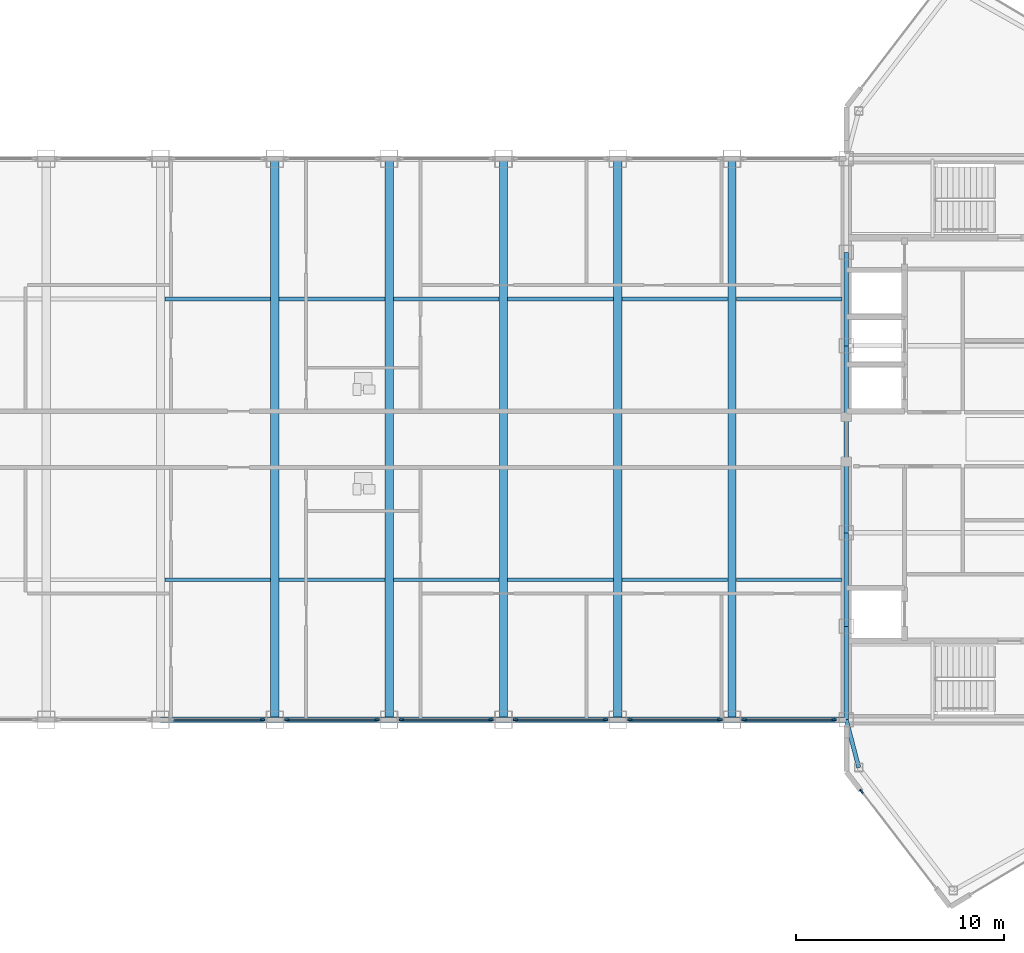
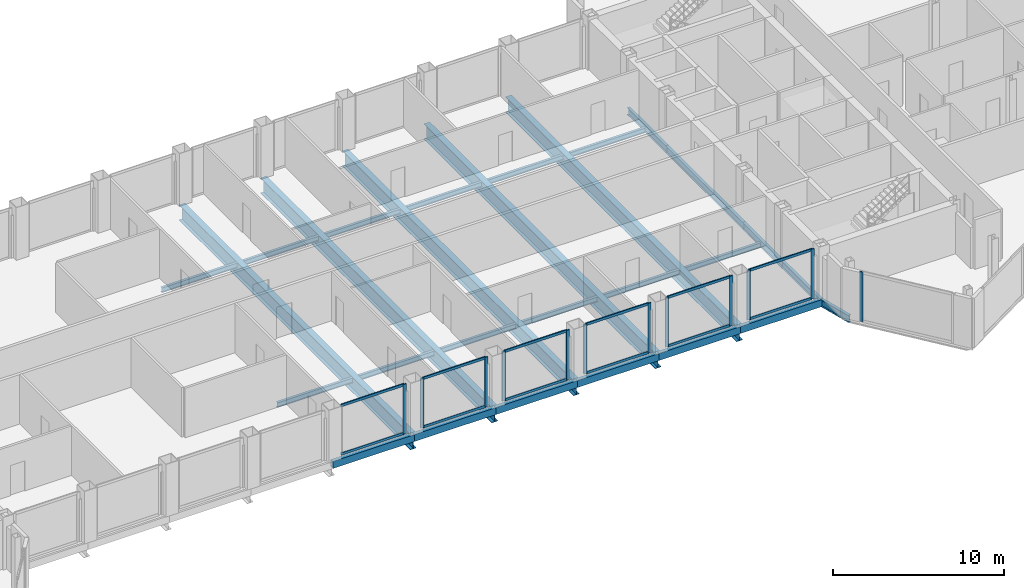
# One storey, part 13 of 29: 28 beams, 24 members, 7 elements without a shape of their own.
"""IFC4 building model written with IfcOpenShell, lengths in metres."""

import ifcopenshell
import ifcopenshell.guid

model = None  # the IFC model being written
_history = None  # IfcOwnerHistory: only IFC2X3 demands one
_inside = {}  # id of a spatial element -> (the spatial element, [elements in it])
_under = {}  # id of a project, library or spatial element -> (it, [spatial elements below it])
_declared = {}  # id of a project -> (the project, [libraries it declares])
_typed = {}  # id of a type object -> (the type object, [elements of that type])
_made_of = {}  # id of a material, layer set ... -> (it, [elements and type objects made of it])


def new_model(schema):
    """Start an empty IFC model of exactly this schema.

    Asked for "IFC4X3", IfcOpenShell would pick the latest addendum, in which some entities
    have other attributes; the version numbers below select the first issue.
    IFC2X3 requires an IfcOwnerHistory on every rooted entity: one is made here for all.
    """
    global model, _history
    if schema == "IFC4X3":
        model = ifcopenshell.file(schema_version=(4, 3, 0, 0))
    else:
        model = ifcopenshell.file(schema=schema)
    _inside.clear()
    _under.clear()
    _declared.clear()
    _typed.clear()
    _made_of.clear()
    _history = None
    if model.schema == "IFC2X3":
        org = make("IfcOrganization", Name="unknown")
        user = make(
            "IfcPersonAndOrganization",
            ThePerson=make("IfcPerson", FamilyName="unknown"),
            TheOrganization=org,
        )
        app = make(
            "IfcApplication",
            ApplicationDeveloper=org,
            Version="unknown",
            ApplicationFullName="unknown",
            ApplicationIdentifier="unknown",
        )
        _history = make(
            "IfcOwnerHistory",
            OwningUser=user,
            OwningApplication=app,
            ChangeAction="ADDED",
            CreationDate=0,
        )
    return model


def make(cls, **values):
    """One entity of the class cls with the attributes given. An attribute that is None is left unset."""
    return model.create_entity(
        cls, **{name: value for name, value in values.items() if value is not None}
    )


def rooted(cls, **values):
    """An entity with a GlobalId (a new one), such as an element, a storey or a relation."""
    return make(cls, GlobalId=ifcopenshell.guid.new(), OwnerHistory=_history, **values)


def si_unit(unit_type, name, prefix=None):
    """IfcSIUnit, for example si_unit("LENGTHUNIT", "METRE", prefix="MILLI")."""
    return make("IfcSIUnit", UnitType=unit_type, Prefix=prefix, Name=name)


def assignment(units):
    """IfcUnitAssignment: the units of a project."""
    return None if units is None else make("IfcUnitAssignment", Units=units)


def point(xyz):
    """IfcCartesianPoint."""
    return None if xyz is None else make("IfcCartesianPoint", Coordinates=xyz)


def direction(xyz):
    """IfcDirection."""
    return None if xyz is None else make("IfcDirection", DirectionRatios=xyz)


def frame(location, z_axis=None, x_axis=None):
    """IfcAxis2Placement3D, a coordinate frame: its origin and axes. An axis left out is left unset."""
    return make(
        "IfcAxis2Placement3D",
        Location=point(location),
        Axis=direction(z_axis),
        RefDirection=direction(x_axis),
    )


def frame_2d(location, x_axis=None):
    """IfcAxis2Placement2D, a coordinate frame in the plane: its origin and x axis."""
    return make(
        "IfcAxis2Placement2D", Location=point(location), RefDirection=direction(x_axis)
    )


def origin():
    """The frame at (0, 0, 0) with its axes left unset."""
    return frame((0.0, 0.0, 0.0))


def origin_2d():
    """The frame at (0, 0) in the plane with its x axis left unset."""
    return frame_2d((0.0, 0.0))


def place(relative_to, where):
    """IfcLocalPlacement: puts the frame where relative to a parent placement (None: the world)."""
    return make(
        "IfcLocalPlacement", PlacementRelTo=relative_to, RelativePlacement=where
    )


def context(
    kind, dimensions, precision=None, world=None, true_north=None, identifier=None
):
    """IfcGeometricRepresentationContext, for example the 3D "Model" context."""
    return make(
        "IfcGeometricRepresentationContext",
        ContextIdentifier=identifier,
        ContextType=kind,
        CoordinateSpaceDimension=dimensions,
        Precision=precision,
        WorldCoordinateSystem=world,
        TrueNorth=true_north,
    )


def subcontext(parent, identifier, kind, view, scale=None):
    """IfcGeometricRepresentationSubContext, for example "Body" below "Model"."""
    return make(
        "IfcGeometricRepresentationSubContext",
        ContextIdentifier=identifier,
        ContextType=kind,
        ParentContext=parent,
        TargetScale=scale,
        TargetView=view,
    )


def project(units=None, contexts=None):
    """IfcProject with its units and contexts."""
    return rooted(
        "IfcProject",
        Name="project",
        RepresentationContexts=contexts,
        UnitsInContext=assignment(units),
    )


def spatial(cls, under=None, at=None, **own):
    """A site, building, storey or space (cls), placed at a placement, below another one or the project."""
    s = rooted(cls, ObjectPlacement=at, **own)
    if under is not None:
        _under.setdefault(under.id(), (under, []))[1].append(s)
    return s


def profile(cls, at=None, kind="AREA", **sizes):
    """A parametric profile (cls). Its sizes go by their IFC names, for example OverallWidth=200.0."""
    return make(cls, ProfileType=kind, Position=at, **sizes)


def rectangle(**sizes):
    """IfcRectangleProfileDef."""
    return profile("IfcRectangleProfileDef", **sizes)


def hollow_rectangle(**sizes):
    """IfcRectangleHollowProfileDef."""
    return profile("IfcRectangleHollowProfileDef", **sizes)


def i_section(**sizes):
    """IfcIShapeProfileDef."""
    return profile("IfcIShapeProfileDef", **sizes)


def extrude(swept, where, along, depth):
    """IfcExtrudedAreaSolid: the profile swept, set in the frame where, extruded along a direction by depth."""
    return make(
        "IfcExtrudedAreaSolid",
        SweptArea=swept,
        Position=where,
        ExtrudedDirection=direction(along),
        Depth=depth,
    )


def shape(context_of_items, identifier, shape_type, items):
    """IfcShapeRepresentation: the items that make up one representation, for example the "Body"."""
    return make(
        "IfcShapeRepresentation",
        ContextOfItems=context_of_items,
        RepresentationIdentifier=identifier,
        RepresentationType=shape_type,
        Items=items,
    )


def source(mapping_origin, context_of_items, identifier, shape_type, items):
    """IfcRepresentationMap: a shape defined once, which mapped items show again and again."""
    return make(
        "IfcRepresentationMap",
        MappingOrigin=mapping_origin,
        MappedRepresentation=shape(context_of_items, identifier, shape_type, items),
    )


def transform(
    local_origin,
    x_axis=None,
    y_axis=None,
    z_axis=None,
    scale=None,
    scale2=None,
    scale3=None,
    uniform=True,
):
    """IfcCartesianTransformationOperator3D, or its non-uniform kind. x_axis, y_axis, z_axis: its Axis1, 2, 3."""
    if uniform:
        return make(
            "IfcCartesianTransformationOperator3D",
            Axis1=direction(x_axis),
            Axis2=direction(y_axis),
            LocalOrigin=point(local_origin),
            Scale=scale,
            Axis3=direction(z_axis),
        )
    return make(
        "IfcCartesianTransformationOperator3DnonUniform",
        Axis1=direction(x_axis),
        Axis2=direction(y_axis),
        LocalOrigin=point(local_origin),
        Scale=scale,
        Axis3=direction(z_axis),
        Scale2=scale2,
        Scale3=scale3,
    )


def mapped(mapping_source, mapping_target):
    """IfcMappedItem: shows the shape of a source again, moved by a transform."""
    return make(
        "IfcMappedItem", MappingSource=mapping_source, MappingTarget=mapping_target
    )


def material(Name=None, Category=None):
    """IfcMaterial."""
    return make("IfcMaterial", Name=Name, Category=Category)


def layer(
    of_material, thickness, ventilated=None, Name=None, Category=None, Priority=None
):
    """IfcMaterialLayer: one layer of a wall or slab, of a material (None: an air gap)."""
    return make(
        "IfcMaterialLayer",
        Material=of_material,
        LayerThickness=thickness,
        IsVentilated=ventilated,
        Name=Name,
        Category=Category,
        Priority=Priority,
    )


def layer_set(layers, Name=None):
    """IfcMaterialLayerSet."""
    return make("IfcMaterialLayerSet", MaterialLayers=layers, LayerSetName=Name)


def material_profile(
    of_material, cross_section, Name=None, Category=None, Priority=None
):
    """IfcMaterialProfile: a cross section and its material."""
    return make(
        "IfcMaterialProfile",
        Name=Name,
        Material=of_material,
        Profile=cross_section,
        Priority=Priority,
        Category=Category,
    )


def profile_set(profiles, Name=None, composite=None):
    """IfcMaterialProfileSet."""
    return make(
        "IfcMaterialProfileSet",
        Name=Name,
        MaterialProfiles=profiles,
        CompositeProfile=composite,
    )


def made_of(thing, what):
    """Note that an element or type object is made of a material, layer set ...; save() writes the relation."""
    if what is not None:
        _made_of.setdefault(what.id(), (what, []))[1].append(thing)
    return thing


def type_object(cls, material=None, **own):
    """A type object (cls), such as IfcWallType, which elements share."""
    return made_of(rooted(cls, **own), material)


def type_shapes(of_type, sources):
    """Give a type object the sources (RepresentationMaps) that its elements show as mapped items."""
    of_type.RepresentationMaps = sources


def element(
    cls,
    number,
    at=None,
    inside=None,
    cuts=None,
    type_object=None,
    material=None,
    context=None,
    identifier="Body",
    shape_type=None,
    held_by="IfcProductDefinitionShape",
    body=None,
    shapes=None,
    **own,
):
    """One element of the class cls, such as IfcWall. Its Tag is "e" and its number.

    at: its placement. inside: the storey or other place that contains it. cuts: it is an
    opening in that element (IfcRelVoidsElement). A single representation is given by context,
    identifier, shape_type and body (its items); several are given by shapes. held_by: the class
    of the entity that holds the representations. save() writes the other relations.
    """
    e = rooted(cls, Tag="e%d" % number, ObjectPlacement=at, **own)
    if body is not None:
        shapes = [shape(context, identifier, shape_type, body)]
    if shapes is not None:
        e.Representation = make(held_by, Representations=shapes)
    if inside is not None:
        _inside.setdefault(inside.id(), (inside, []))[1].append(e)
    if cuts is not None:
        rooted(
            "IfcRelVoidsElement", RelatingBuildingElement=cuts, RelatedOpeningElement=e
        )
    if type_object is not None:
        _typed.setdefault(type_object.id(), (type_object, []))[1].append(e)
    return made_of(e, material)


def aggregate(whole, parts):
    """IfcRelAggregates: a whole, such as a stair, and the parts it consists of."""
    return rooted("IfcRelAggregates", RelatingObject=whole, RelatedObjects=parts)


def save(model, path):
    """Write the relations noted so far, then the file.

    IfcRelAggregates (storeys below a building ...), IfcRelContainedInSpatialStructure (elements
    in a storey), IfcRelDefinesByType, IfcRelAssociatesMaterial and IfcRelDeclares: one each for
    every whole, place, type object, material and project.
    """
    for whole, parts in _under.values():
        aggregate(whole, parts)
    for where, things in _inside.values():
        rooted(
            "IfcRelContainedInSpatialStructure",
            RelatedElements=things,
            RelatingStructure=where,
        )
    for kind, things in _typed.values():
        rooted("IfcRelDefinesByType", RelatedObjects=things, RelatingType=kind)
    for what, things in _made_of.values():
        rooted("IfcRelAssociatesMaterial", RelatedObjects=things, RelatingMaterial=what)
    for by, libraries in _declared.values():
        rooted("IfcRelDeclares", RelatingContext=by, RelatedDefinitions=libraries)
    model.write(path)


model = new_model("IFC4")

# Units and contexts
model_context = context("Model", 3, precision=1e-05, world=origin(), true_north=direction((0.0, 1.0)))
body_context = subcontext(model_context, "Body", "Model", "MODEL_VIEW")
ifc_project = project(units=[si_unit("LENGTHUNIT", "METRE"), si_unit("AREAUNIT", "SQUARE_METRE"), si_unit("VOLUMEUNIT", "CUBIC_METRE"), si_unit("PLANEANGLEUNIT", "RADIAN"), si_unit("MASSUNIT", "GRAM", prefix="KILO")], contexts=[model_context])

# Site, building, storey
site_placement = place(None, origin())
site = spatial("IfcSite", under=ifc_project, at=site_placement, CompositionType="ELEMENT")
building_placement = place(site_placement, origin())
building = spatial("IfcBuilding", under=site, at=building_placement, Name="Seokmaru Belvedere", CompositionType="ELEMENT")
storey_placement = place(building_placement, frame((0.0, 0.0, 254.39990234375)))
storey = spatial("IfcBuildingStorey", under=building, at=storey_placement, Name="L67", CompositionType="ELEMENT", Elevation=254.39990234375)

# Beams
ifc_material_1 = material(Name="Steel SM355 (355 MPa)", Category="steel")
ifc_material_profile_1 = material_profile(ifc_material_1, i_section(OverallWidth=0.199951171875, OverallDepth=0.5, WebThickness=0.010009765625, FlangeThickness=0.01611328125, at=origin_2d()), Name="H-500x200x10x16")
ifc_profile_set_1 = profile_set([ifc_material_profile_1], Name="Steel SM355 (355 MPa)")
beam_type_1 = type_object("IfcBeamType", Name="Perimeter Spandrel Beam H-500", PredefinedType="SPANDREL", material=ifc_profile_set_1)
shared_shape_1 = source(origin(), body_context, "Body", "SweptSolid", [
    extrude(i_section(OverallWidth=0.199951171875, OverallDepth=0.5, WebThickness=0.010009765625, FlangeThickness=0.01611328125, at=origin_2d()), origin(), (0.0, 0.0, 1.0), 4.5),
])
for number, where, z_axis, x_axis, name in (
    (1, (27.5, -13.5, -0.469970703125), (0.0, 1.0, 0.0), (-1.0, 0.0, 0.0), "L67 E Portal Spine Spandrel 1"),
    (2, (27.5, -9.0, -0.469970703125), (0.0, 1.0, 0.0), (-1.0, 0.0, 0.0), "L67 E Portal Spine Spandrel 2"),
    (3, (27.5, 4.5, -0.469970703125), (0.0, 1.0, 0.0), (-1.0, 0.0, 0.0), "L67 E Portal Spine Spandrel 4"),
):
    element("IfcBeam", number, at=place(storey_placement, frame(where, z_axis=z_axis, x_axis=x_axis)), inside=storey, type_object=beam_type_1, Name=name, PredefinedType="SPANDREL", context=body_context, shape_type="MappedRepresentation", body=[
        mapped(shared_shape_1, transform((0.0, 0.0, 0.0), scale=1.0)),
    ])
shared_shape_2 = source(origin(), body_context, "Body", "SweptSolid", [
    extrude(i_section(OverallWidth=0.199951171875, OverallDepth=0.5, WebThickness=0.010009765625, FlangeThickness=0.01611328125, at=origin_2d()), origin(), (0.0, 0.0, 1.0), 9.0),
])
beam_1_placement = place(storey_placement, frame((27.5, -4.5, -0.469970703125), z_axis=(0.0, 1.0, 0.0), x_axis=(-1.0, 0.0, 0.0)))
element("IfcBeam", 4, at=beam_1_placement, inside=storey, type_object=beam_type_1, Name="L67 E Portal Spine Spandrel 3", PredefinedType="SPANDREL", context=body_context, shape_type="MappedRepresentation", body=[
    mapped(shared_shape_2, transform((0.0, 0.0, 0.0), scale=1.0)),
])
shared_shape_3 = source(origin(), body_context, "Body", "SweptSolid", [
    extrude(i_section(OverallWidth=0.199951171875, OverallDepth=0.5, WebThickness=0.010009765625, FlangeThickness=0.01611328125, at=origin_2d()), origin(), (0.0, 0.0, 1.0), 2.373046875),
])
type_shapes(beam_type_1, [shared_shape_1, shared_shape_2, shared_shape_3])
beam_2_placement = place(storey_placement, frame((28.10009765625, -15.7958984375, -0.469970703125), z_axis=(-0.252882558842, 0.967496982648, 0.0), x_axis=(-0.967496982648, -0.252882558842, 0.0)))
element("IfcBeam", 5, at=beam_2_placement, inside=storey, type_object=beam_type_1, Name="L67 E Shoulder Spine Spandrel S", PredefinedType="SPANDREL", context=body_context, shape_type="MappedRepresentation", body=[
    mapped(shared_shape_3, transform((0.0, 0.0, 0.0), scale=1.0)),
])
ifc_material_profile_2 = material_profile(ifc_material_1, i_section(OverallWidth=0.39990234375, OverallDepth=1.10009765625, WebThickness=0.02001953125, FlangeThickness=0.033935546875, at=origin_2d()), Name="BH-1100x400x20x34")
ifc_profile_set_2 = profile_set([ifc_material_profile_2], Name="Steel SM355 (355 MPa)")
beam_type_2 = type_object("IfcBeamType", Name="Sky-Gate Transverse Girder BH-1100", PredefinedType="BEAM", material=ifc_profile_set_2)
shared_shape_4 = source(origin(), body_context, "Body", "SweptSolid", [
    extrude(i_section(OverallWidth=0.39990234375, OverallDepth=1.10009765625, WebThickness=0.02001953125, FlangeThickness=0.033935546875, at=origin_2d()), origin(), (0.0, 0.0, 1.0), 27.0),
])
type_shapes(beam_type_2, [shared_shape_4])
for number, where, z_axis, x_axis, name in (
    (6, (0.0, -13.5, -0.77001953125), (0.0, 1.0, 0.0), (-1.0, 0.0, 0.0), "L67 Sky-Gate Transverse Girder 05"),
    (7, (5.5, -13.5, -0.77001953125), (0.0, 1.0, 0.0), (-1.0, 0.0, 0.0), "L67 Sky-Gate Transverse Girder 06"),
    (8, (11.0, -13.5, -0.77001953125), (0.0, 1.0, 0.0), (-1.0, 0.0, 0.0), "L67 Sky-Gate Transverse Girder 07"),
    (9, (16.5, -13.5, -0.77001953125), (0.0, 1.0, 0.0), (-1.0, 0.0, 0.0), "L67 Sky-Gate Transverse Girder 08"),
    (10, (22.0, -13.5, -0.77001953125), (0.0, 1.0, 0.0), (-1.0, 0.0, 0.0), "L67 Sky-Gate Transverse Girder 09"),
):
    element("IfcBeam", number, at=place(storey_placement, frame(where, z_axis=z_axis, x_axis=x_axis)), inside=storey, type_object=beam_type_2, Name=name, PredefinedType="BEAM", context=body_context, shape_type="MappedRepresentation", body=[
        mapped(shared_shape_4, transform((0.0, 0.0, 0.0), scale=1.0)),
    ])
ifc_material_profile_3 = material_profile(ifc_material_1, i_section(OverallWidth=0.175048828125, OverallDepth=0.35009765625, WebThickness=0.007080078125, FlangeThickness=0.010986328125, at=origin_2d()), Name="H-350x175x7x11")
ifc_profile_set_3 = profile_set([ifc_material_profile_3], Name="Steel SM355 (355 MPa)")
beam_type_3 = type_object("IfcBeamType", Name="Secondary Floor Joist H-300", PredefinedType="JOIST", material=ifc_profile_set_3)
shared_shape_5 = source(origin(), body_context, "Body", "SweptSolid", [
    extrude(i_section(OverallWidth=0.175048828125, OverallDepth=0.35009765625, WebThickness=0.007080078125, FlangeThickness=0.010986328125, at=origin_2d()), origin(), (0.0, 0.0, 1.0), 5.08984375),
])
type_shapes(beam_type_3, [shared_shape_5])
for number, where, z_axis, x_axis, name in (
    (11, (-5.294921875, -6.75, -0.39501953125), (1.0, 0.0, 0.0), (0.0, 1.0, 0.0), "L67 Sky-Gate Secondary Joist S-05"),
    (12, (0.205078125, -6.75, -0.39501953125), (1.0, 0.0, 0.0), (0.0, 1.0, 0.0), "L67 Sky-Gate Secondary Joist S-06"),
    (13, (5.705078125, -6.75, -0.39501953125), (1.0, 0.0, 0.0), (0.0, 1.0, 0.0), "L67 Sky-Gate Secondary Joist S-07"),
    (14, (11.205078125, -6.75, -0.39501953125), (1.0, 0.0, 0.0), (0.0, 1.0, 0.0), "L67 Sky-Gate Secondary Joist S-08"),
    (15, (16.705078125, -6.75, -0.39501953125), (1.0, 0.0, 0.0), (0.0, 1.0, 0.0), "L67 Sky-Gate Secondary Joist S-09"),
    (16, (22.205078125, -6.75, -0.39501953125), (1.0, 0.0, 0.0), (0.0, 1.0, 0.0), "L67 Sky-Gate Secondary Joist S-10"),
    (17, (-5.294921875, 6.75, -0.39501953125), (1.0, 0.0, 0.0), (0.0, 1.0, 0.0), "L67 Sky-Gate Secondary Joist N-05"),
    (18, (0.205078125, 6.75, -0.39501953125), (1.0, 0.0, 0.0), (0.0, 1.0, 0.0), "L67 Sky-Gate Secondary Joist N-06"),
    (19, (5.705078125, 6.75, -0.39501953125), (1.0, 0.0, 0.0), (0.0, 1.0, 0.0), "L67 Sky-Gate Secondary Joist N-07"),
    (20, (11.205078125, 6.75, -0.39501953125), (1.0, 0.0, 0.0), (0.0, 1.0, 0.0), "L67 Sky-Gate Secondary Joist N-08"),
    (21, (16.705078125, 6.75, -0.39501953125), (1.0, 0.0, 0.0), (0.0, 1.0, 0.0), "L67 Sky-Gate Secondary Joist N-09"),
    (22, (22.205078125, 6.75, -0.39501953125), (1.0, 0.0, 0.0), (0.0, 1.0, 0.0), "L67 Sky-Gate Secondary Joist N-10"),
):
    element("IfcBeam", number, at=place(storey_placement, frame(where, z_axis=z_axis, x_axis=x_axis)), inside=storey, type_object=beam_type_3, Name=name, PredefinedType="JOIST", context=body_context, shape_type="MappedRepresentation", body=[
        mapped(shared_shape_5, transform((0.0, 0.0, 0.0), scale=1.0)),
    ])
ifc_material_profile_4 = material_profile(ifc_material_1, hollow_rectangle(XDim=0.25, YDim=0.5, WallThickness=0.013916015625, at=origin_2d()), Name="RHS-500x250x14")
ifc_profile_set_4 = profile_set([ifc_material_profile_4], Name="Steel SM355 (355 MPa)")
beam_type_4 = type_object("IfcBeamType", Name="Bridge Edge Spandrel RHS-500", PredefinedType="SPANDREL", material=ifc_profile_set_4)
shared_shape_6 = source(origin(), body_context, "Body", "SweptSolid", [
    extrude(hollow_rectangle(XDim=0.25, YDim=0.5, WallThickness=0.013916015625, at=origin_2d()), origin(), (0.0, 0.0, 1.0), 5.5),
])
type_shapes(beam_type_4, [shared_shape_6])
for number, where, z_axis, x_axis, name in (
    (23, (-5.5, -13.5, -0.469970703125), (1.0, 0.0, 0.0), (0.0, 1.0, 0.0), "L67 Sky-Gate Bridge Edge Girder S-05"),
    (24, (0.0, -13.5, -0.469970703125), (1.0, 0.0, 0.0), (0.0, 1.0, 0.0), "L67 Sky-Gate Bridge Edge Girder S-06"),
    (25, (5.5, -13.5, -0.469970703125), (1.0, 0.0, 0.0), (0.0, 1.0, 0.0), "L67 Sky-Gate Bridge Edge Girder S-07"),
    (26, (11.0, -13.5, -0.469970703125), (1.0, 0.0, 0.0), (0.0, 1.0, 0.0), "L67 Sky-Gate Bridge Edge Girder S-08"),
    (27, (16.5, -13.5, -0.469970703125), (1.0, 0.0, 0.0), (0.0, 1.0, 0.0), "L67 Sky-Gate Bridge Edge Girder S-09"),
    (28, (22.0, -13.5, -0.469970703125), (1.0, 0.0, 0.0), (0.0, 1.0, 0.0), "L67 Sky-Gate Bridge Edge Girder S-10"),
):
    element("IfcBeam", number, at=place(storey_placement, frame(where, z_axis=z_axis, x_axis=x_axis)), inside=storey, type_object=beam_type_4, Name=name, PredefinedType="SPANDREL", context=body_context, shape_type="MappedRepresentation", body=[
        mapped(shared_shape_6, transform((0.0, 0.0, 0.0), scale=1.0)),
    ])

# Curtain wall, members
ifc_material_2 = material(Name="Bronze Triple Insulating Glass", Category="glass")
ifc_layer = layer(ifc_material_2, 0.219970703125)
ifc_layer_set = layer_set([ifc_layer], Name="Bronze Triple Insulating Glass")
curtain_wall_type = type_object("IfcCurtainWallType", Name="Sky-Gate Bridge Panorama Curtain Wall System CW-6", PredefinedType="NOTDEFINED", material=ifc_layer_set)
curtain_wall_1_placement = place(storey_placement, origin())
curtain_wall_1 = element("IfcCurtainWall", 29, at=curtain_wall_1_placement, inside=storey, type_object=curtain_wall_type, Name="L67 Curtain Wall BR_S05", PredefinedType="NOTDEFINED")
ifc_material_3 = material(Name="Anodised Bronze Aluminium", Category="aluminium")
ifc_material_profile_5 = material_profile(ifc_material_3, rectangle(XDim=0.074951171875, YDim=0.179931640625, at=origin_2d()), Name="CW-T-75x180")
ifc_profile_set_5 = profile_set([ifc_material_profile_5], Name="Anodised Bronze Aluminium")
member_type_1 = type_object("IfcMemberType", Name="Bronze Unitised Transom 75x180", PredefinedType="USERDEFINED", material=ifc_profile_set_5)
shared_shape_7 = source(origin(), body_context, "Body", "SweptSolid", [
    extrude(rectangle(XDim=0.074951171875, YDim=0.179931640625, at=origin_2d()), origin(), (0.0, 0.0, 1.0), 4.240234375),
])
type_shapes(member_type_1, [shared_shape_7])
member_1_placement = place(storey_placement, frame((-4.8701171875, -13.5, 0.03759765625), z_axis=(1.0, 0.0, 0.0), x_axis=(0.0, 1.0, 0.0)))
member_1 = element("IfcMember", 30, at=member_1_placement, type_object=member_type_1, Name="CW:L67:BR_S05 Continuous Transom 1", ObjectType="TRANSOM", PredefinedType="USERDEFINED", context=body_context, shape_type="MappedRepresentation", body=[
    mapped(shared_shape_7, transform((0.0, 0.0, 0.0), scale=1.0)),
])
member_2_placement = place(storey_placement, frame((-4.8701171875, -13.5, 3.49267578125), z_axis=(1.0, 0.0, 0.0), x_axis=(0.0, 1.0, 0.0)))
member_2 = element("IfcMember", 31, at=member_2_placement, type_object=member_type_1, Name="CW:L67:BR_S05 Continuous Transom 2", ObjectType="TRANSOM", PredefinedType="USERDEFINED", context=body_context, shape_type="MappedRepresentation", body=[
    mapped(shared_shape_7, transform((0.0, 0.0, 0.0), scale=1.0)),
])

curtain_wall_2_placement = place(storey_placement, origin())
curtain_wall_2 = element("IfcCurtainWall", 32, at=curtain_wall_2_placement, inside=storey, type_object=curtain_wall_type, Name="L67 Curtain Wall BR_S06", PredefinedType="NOTDEFINED")
member_3_placement = place(storey_placement, frame((0.6298828125, -13.5, 0.03759765625), z_axis=(1.0, 0.0, 0.0), x_axis=(0.0, 1.0, 0.0)))
member_3 = element("IfcMember", 33, at=member_3_placement, type_object=member_type_1, Name="CW:L67:BR_S06 Continuous Transom 1", ObjectType="TRANSOM", PredefinedType="USERDEFINED", context=body_context, shape_type="MappedRepresentation", body=[
    mapped(shared_shape_7, transform((0.0, 0.0, 0.0), scale=1.0)),
])
member_4_placement = place(storey_placement, frame((0.6298828125, -13.5, 3.49267578125), z_axis=(1.0, 0.0, 0.0), x_axis=(0.0, 1.0, 0.0)))
member_4 = element("IfcMember", 34, at=member_4_placement, type_object=member_type_1, Name="CW:L67:BR_S06 Continuous Transom 2", ObjectType="TRANSOM", PredefinedType="USERDEFINED", context=body_context, shape_type="MappedRepresentation", body=[
    mapped(shared_shape_7, transform((0.0, 0.0, 0.0), scale=1.0)),
])

curtain_wall_3_placement = place(storey_placement, origin())
curtain_wall_3 = element("IfcCurtainWall", 35, at=curtain_wall_3_placement, inside=storey, type_object=curtain_wall_type, Name="L67 Curtain Wall BR_S07", PredefinedType="NOTDEFINED")
member_5_placement = place(storey_placement, frame((6.1298828125, -13.5, 0.03759765625), z_axis=(1.0, 0.0, 0.0), x_axis=(0.0, 1.0, 0.0)))
member_5 = element("IfcMember", 36, at=member_5_placement, type_object=member_type_1, Name="CW:L67:BR_S07 Continuous Transom 1", ObjectType="TRANSOM", PredefinedType="USERDEFINED", context=body_context, shape_type="MappedRepresentation", body=[
    mapped(shared_shape_7, transform((0.0, 0.0, 0.0), scale=1.0)),
])
member_6_placement = place(storey_placement, frame((6.1298828125, -13.5, 3.49267578125), z_axis=(1.0, 0.0, 0.0), x_axis=(0.0, 1.0, 0.0)))
member_6 = element("IfcMember", 37, at=member_6_placement, type_object=member_type_1, Name="CW:L67:BR_S07 Continuous Transom 2", ObjectType="TRANSOM", PredefinedType="USERDEFINED", context=body_context, shape_type="MappedRepresentation", body=[
    mapped(shared_shape_7, transform((0.0, 0.0, 0.0), scale=1.0)),
])

curtain_wall_4_placement = place(storey_placement, origin())
curtain_wall_4 = element("IfcCurtainWall", 38, at=curtain_wall_4_placement, inside=storey, type_object=curtain_wall_type, Name="L67 Curtain Wall BR_S08", PredefinedType="NOTDEFINED")
member_7_placement = place(storey_placement, frame((11.6298828125, -13.5, 0.03759765625), z_axis=(1.0, 0.0, 0.0), x_axis=(0.0, 1.0, 0.0)))
member_7 = element("IfcMember", 39, at=member_7_placement, type_object=member_type_1, Name="CW:L67:BR_S08 Continuous Transom 1", ObjectType="TRANSOM", PredefinedType="USERDEFINED", context=body_context, shape_type="MappedRepresentation", body=[
    mapped(shared_shape_7, transform((0.0, 0.0, 0.0), scale=1.0)),
])
member_8_placement = place(storey_placement, frame((11.6298828125, -13.5, 3.49267578125), z_axis=(1.0, 0.0, 0.0), x_axis=(0.0, 1.0, 0.0)))
member_8 = element("IfcMember", 40, at=member_8_placement, type_object=member_type_1, Name="CW:L67:BR_S08 Continuous Transom 2", ObjectType="TRANSOM", PredefinedType="USERDEFINED", context=body_context, shape_type="MappedRepresentation", body=[
    mapped(shared_shape_7, transform((0.0, 0.0, 0.0), scale=1.0)),
])

curtain_wall_5_placement = place(storey_placement, origin())
curtain_wall_5 = element("IfcCurtainWall", 41, at=curtain_wall_5_placement, inside=storey, type_object=curtain_wall_type, Name="L67 Curtain Wall BR_S09", PredefinedType="NOTDEFINED")
member_9_placement = place(storey_placement, frame((17.1298828125, -13.5, 0.03759765625), z_axis=(1.0, 0.0, 0.0), x_axis=(0.0, 1.0, 0.0)))
member_9 = element("IfcMember", 42, at=member_9_placement, type_object=member_type_1, Name="CW:L67:BR_S09 Continuous Transom 1", ObjectType="TRANSOM", PredefinedType="USERDEFINED", context=body_context, shape_type="MappedRepresentation", body=[
    mapped(shared_shape_7, transform((0.0, 0.0, 0.0), scale=1.0)),
])
member_10_placement = place(storey_placement, frame((17.1298828125, -13.5, 3.49267578125), z_axis=(1.0, 0.0, 0.0), x_axis=(0.0, 1.0, 0.0)))
member_10 = element("IfcMember", 43, at=member_10_placement, type_object=member_type_1, Name="CW:L67:BR_S09 Continuous Transom 2", ObjectType="TRANSOM", PredefinedType="USERDEFINED", context=body_context, shape_type="MappedRepresentation", body=[
    mapped(shared_shape_7, transform((0.0, 0.0, 0.0), scale=1.0)),
])

curtain_wall_6_placement = place(storey_placement, origin())
curtain_wall_6 = element("IfcCurtainWall", 44, at=curtain_wall_6_placement, inside=storey, type_object=curtain_wall_type, Name="L67 Curtain Wall BR_S10", PredefinedType="NOTDEFINED")
member_11_placement = place(storey_placement, frame((22.6298828125, -13.5, 0.03759765625), z_axis=(1.0, 0.0, 0.0), x_axis=(0.0, 1.0, 0.0)))
member_11 = element("IfcMember", 45, at=member_11_placement, type_object=member_type_1, Name="CW:L67:BR_S10 Continuous Transom 1", ObjectType="TRANSOM", PredefinedType="USERDEFINED", context=body_context, shape_type="MappedRepresentation", body=[
    mapped(shared_shape_7, transform((0.0, 0.0, 0.0), scale=1.0)),
])
member_12_placement = place(storey_placement, frame((22.6298828125, -13.5, 3.49267578125), z_axis=(1.0, 0.0, 0.0), x_axis=(0.0, 1.0, 0.0)))
member_12 = element("IfcMember", 46, at=member_12_placement, type_object=member_type_1, Name="CW:L67:BR_S10 Continuous Transom 2", ObjectType="TRANSOM", PredefinedType="USERDEFINED", context=body_context, shape_type="MappedRepresentation", body=[
    mapped(shared_shape_7, transform((0.0, 0.0, 0.0), scale=1.0)),
])

# Curtain wall, member
curtain_wall_7_placement = place(storey_placement, origin())
curtain_wall_7 = element("IfcCurtainWall", 47, at=curtain_wall_7_placement, inside=storey, type_object=curtain_wall_type, Name="L67 Curtain Wall EF6", PredefinedType="NOTDEFINED")
ifc_material_profile_6 = material_profile(ifc_material_3, rectangle(XDim=0.080078125, YDim=0.219970703125, at=origin_2d()), Name="CW-M-80x220")
ifc_profile_set_6 = profile_set([ifc_material_profile_6], Name="Anodised Bronze Aluminium")
member_type_2 = type_object("IfcMemberType", Name="Bronze Unitised Mullion 80x220", PredefinedType="MULLION", material=ifc_profile_set_6)
shared_shape_8 = source(origin(), body_context, "Body", "SweptSolid", [
    extrude(rectangle(XDim=0.080078125, YDim=0.219970703125, at=origin_2d()), origin(), (0.0, 0.0, 1.0), 3.530029296875),
])
type_shapes(member_type_2, [shared_shape_8])
member_13_placement = place(storey_placement, frame((28.2255859375, -16.943115234375, 0.0), z_axis=(0.0, 0.0, 1.0), x_axis=(0.792631353244, 0.609701187349, 0.0)))
member_13 = element("IfcMember", 48, at=member_13_placement, type_object=member_type_2, Name="CW:L67:EF6 Mullion 1", PredefinedType="MULLION", context=body_context, shape_type="MappedRepresentation", body=[
    mapped(shared_shape_8, transform((0.0, 0.0, 0.0), scale=1.0)),
])
aggregate(curtain_wall_7, [member_13])

# Member
member_14_placement = place(storey_placement, frame((-0.590087890625, -13.5, 0.0), z_axis=(0.0, 0.0, 1.0), x_axis=(0.0, 1.0, 0.0)))
member_14 = element("IfcMember", 49, at=member_14_placement, type_object=member_type_2, Name="CW:L67:BR_S05 Mullion 2", PredefinedType="MULLION", context=body_context, shape_type="MappedRepresentation", body=[
    mapped(shared_shape_8, transform((0.0, 0.0, 0.0), scale=1.0)),
])

aggregate(curtain_wall_1, [member_14, member_1, member_2])

member_15_placement = place(storey_placement, frame((0.590087890625, -13.5, 0.0), z_axis=(0.0, 0.0, 1.0), x_axis=(0.0, 1.0, 0.0)))
member_15 = element("IfcMember", 50, at=member_15_placement, type_object=member_type_2, Name="CW:L67:BR_S06 Mullion 1", PredefinedType="MULLION", context=body_context, shape_type="MappedRepresentation", body=[
    mapped(shared_shape_8, transform((0.0, 0.0, 0.0), scale=1.0)),
])

member_16_placement = place(storey_placement, frame((4.909912109375, -13.5, 0.0), z_axis=(0.0, 0.0, 1.0), x_axis=(0.0, 1.0, 0.0)))
member_16 = element("IfcMember", 51, at=member_16_placement, type_object=member_type_2, Name="CW:L67:BR_S06 Mullion 2", PredefinedType="MULLION", context=body_context, shape_type="MappedRepresentation", body=[
    mapped(shared_shape_8, transform((0.0, 0.0, 0.0), scale=1.0)),
])

aggregate(curtain_wall_2, [member_15, member_16, member_3, member_4])

member_17_placement = place(storey_placement, frame((6.090087890625, -13.5, 0.0), z_axis=(0.0, 0.0, 1.0), x_axis=(0.0, 1.0, 0.0)))
member_17 = element("IfcMember", 52, at=member_17_placement, type_object=member_type_2, Name="CW:L67:BR_S07 Mullion 1", PredefinedType="MULLION", context=body_context, shape_type="MappedRepresentation", body=[
    mapped(shared_shape_8, transform((0.0, 0.0, 0.0), scale=1.0)),
])

member_18_placement = place(storey_placement, frame((10.409912109375, -13.5, 0.0), z_axis=(0.0, 0.0, 1.0), x_axis=(0.0, 1.0, 0.0)))
member_18 = element("IfcMember", 53, at=member_18_placement, type_object=member_type_2, Name="CW:L67:BR_S07 Mullion 2", PredefinedType="MULLION", context=body_context, shape_type="MappedRepresentation", body=[
    mapped(shared_shape_8, transform((0.0, 0.0, 0.0), scale=1.0)),
])

aggregate(curtain_wall_3, [member_17, member_18, member_5, member_6])

member_19_placement = place(storey_placement, frame((11.590087890625, -13.5, 0.0), z_axis=(0.0, 0.0, 1.0), x_axis=(0.0, 1.0, 0.0)))
member_19 = element("IfcMember", 54, at=member_19_placement, type_object=member_type_2, Name="CW:L67:BR_S08 Mullion 1", PredefinedType="MULLION", context=body_context, shape_type="MappedRepresentation", body=[
    mapped(shared_shape_8, transform((0.0, 0.0, 0.0), scale=1.0)),
])

member_20_placement = place(storey_placement, frame((15.909912109375, -13.5, 0.0), z_axis=(0.0, 0.0, 1.0), x_axis=(0.0, 1.0, 0.0)))
member_20 = element("IfcMember", 55, at=member_20_placement, type_object=member_type_2, Name="CW:L67:BR_S08 Mullion 2", PredefinedType="MULLION", context=body_context, shape_type="MappedRepresentation", body=[
    mapped(shared_shape_8, transform((0.0, 0.0, 0.0), scale=1.0)),
])

aggregate(curtain_wall_4, [member_19, member_20, member_7, member_8])

member_21_placement = place(storey_placement, frame((17.090087890625, -13.5, 0.0), z_axis=(0.0, 0.0, 1.0), x_axis=(0.0, 1.0, 0.0)))
member_21 = element("IfcMember", 56, at=member_21_placement, type_object=member_type_2, Name="CW:L67:BR_S09 Mullion 1", PredefinedType="MULLION", context=body_context, shape_type="MappedRepresentation", body=[
    mapped(shared_shape_8, transform((0.0, 0.0, 0.0), scale=1.0)),
])

member_22_placement = place(storey_placement, frame((21.409912109375, -13.5, 0.0), z_axis=(0.0, 0.0, 1.0), x_axis=(0.0, 1.0, 0.0)))
member_22 = element("IfcMember", 57, at=member_22_placement, type_object=member_type_2, Name="CW:L67:BR_S09 Mullion 2", PredefinedType="MULLION", context=body_context, shape_type="MappedRepresentation", body=[
    mapped(shared_shape_8, transform((0.0, 0.0, 0.0), scale=1.0)),
])

aggregate(curtain_wall_5, [member_21, member_22, member_9, member_10])

member_23_placement = place(storey_placement, frame((22.590087890625, -13.5, 0.0), z_axis=(0.0, 0.0, 1.0), x_axis=(0.0, 1.0, 0.0)))
member_23 = element("IfcMember", 58, at=member_23_placement, type_object=member_type_2, Name="CW:L67:BR_S10 Mullion 1", PredefinedType="MULLION", context=body_context, shape_type="MappedRepresentation", body=[
    mapped(shared_shape_8, transform((0.0, 0.0, 0.0), scale=1.0)),
])

member_24_placement = place(storey_placement, frame((26.909912109375, -13.5, 0.0), z_axis=(0.0, 0.0, 1.0), x_axis=(0.0, 1.0, 0.0)))
member_24 = element("IfcMember", 59, at=member_24_placement, type_object=member_type_2, Name="CW:L67:BR_S10 Mullion 2", PredefinedType="MULLION", context=body_context, shape_type="MappedRepresentation", body=[
    mapped(shared_shape_8, transform((0.0, 0.0, 0.0), scale=1.0)),
])

aggregate(curtain_wall_6, [member_23, member_24, member_11, member_12])

save(model, "model.ifc")
